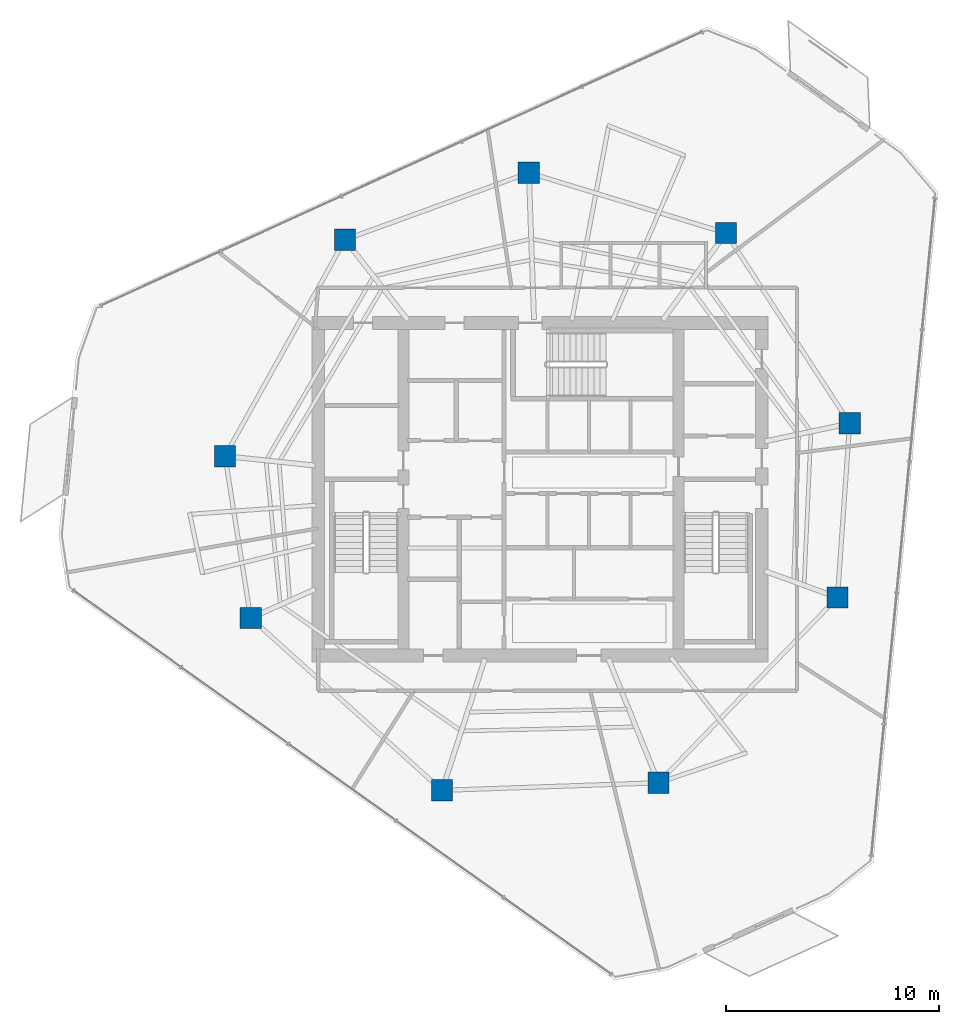
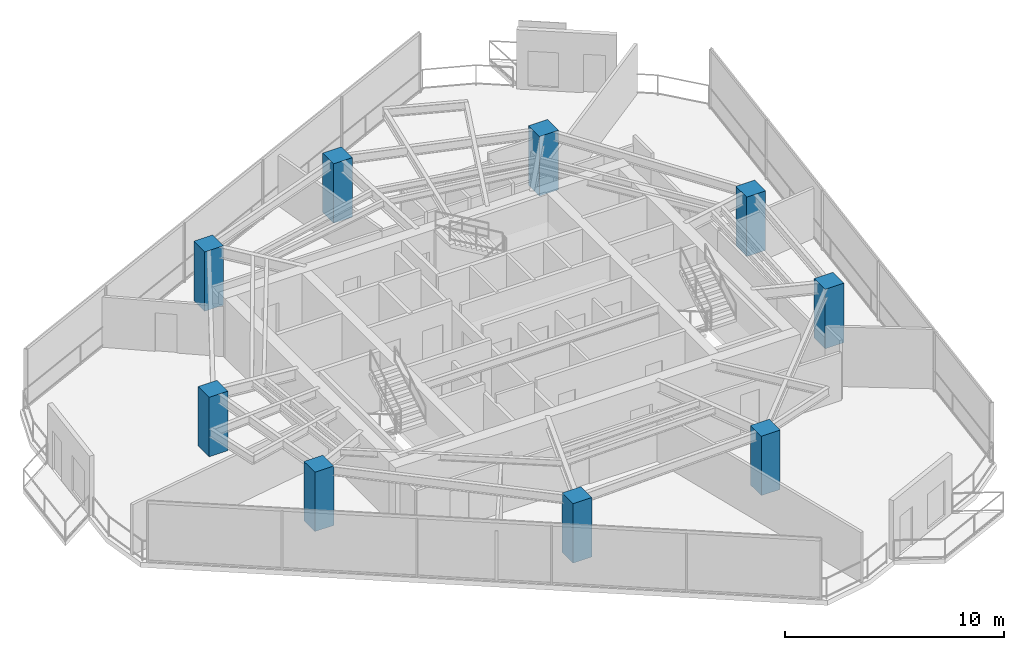
# One storey, part 1 of 21: 9 columns.
"""IFC4 building model written with IfcOpenShell, lengths in metres."""

from ifc_helpers import new_model, si_unit, direction, frame, origin, origin_2d, place, context, subcontext, project, spatial, rectangle, extrude, material, material_profile, profile_set, type_object, element, save


model = new_model("IFC4")

# Units and contexts
model_context = context("Model", 3, precision=1e-05, world=origin(), true_north=direction((0.0, 1.0)))
body_context = subcontext(model_context, "Body", "Model", "MODEL_VIEW")
ifc_project = project(units=[si_unit("LENGTHUNIT", "METRE"), si_unit("AREAUNIT", "SQUARE_METRE"), si_unit("VOLUMEUNIT", "CUBIC_METRE"), si_unit("PLANEANGLEUNIT", "RADIAN"), si_unit("MASSUNIT", "GRAM", prefix="KILO")], contexts=[model_context])

# Site, building, storey
site_placement = place(None, origin())
site = spatial("IfcSite", under=ifc_project, at=site_placement, CompositionType="ELEMENT")
building_placement = place(site_placement, origin())
building = spatial("IfcBuilding", under=site, at=building_placement, Name="Qarnah Convention Tower", CompositionType="ELEMENT")
storey_placement = place(building_placement, frame((0.0, 0.0, 158.10009765625)))
storey = spatial("IfcBuildingStorey", under=building, at=storey_placement, Name="L42", CompositionType="ELEMENT", Elevation=158.10009765625)

# Columns
ifc_material = material(Name="Concrete C60/75", Category="concrete")
ifc_material_profile = material_profile(ifc_material, rectangle(XDim=1.0, YDim=1.0, at=origin_2d()), Name="RC-COL-1000X1000")
ifc_profile_set = profile_set([ifc_material_profile], Name="Concrete C60/75")
column_type = type_object("IfcColumnType", Name="COL-Z3-1000", PredefinedType="COLUMN", material=ifc_profile_set)
for number, where, z_axis, x_axis, name in (
    (1, (51.72509765625, 29.487060546875, 0.0), (0.0, 0.0, 1.0), (1.0, 0.0, 0.0), "L42 plumb column PC-Z3-01"),
    (2, (45.928955078125, 38.4140625, 0.0), (0.0, 0.0, 1.0), (1.0, 0.0, 0.0), "L42 plumb column PC-Z3-02"),
    (3, (36.681884765625, 41.240966796875, 0.0), (0.0, 0.0, 1.0), (1.0, 0.0, 0.0), "L42 plumb column PC-Z3-03"),
    (4, (28.056884765625, 38.10205078125, 0.0), (0.0, 0.0, 1.0), (1.0, 0.0, 0.0), "L42 plumb column PC-Z3-04"),
    (5, (22.430908203125, 27.951904296875, 0.0), (0.0, 0.0, 1.0), (1.0, 0.0, 0.0), "L42 plumb column PC-Z3-05"),
    (6, (23.634033203125, 20.360107421875, 0.0), (0.0, 0.0, 1.0), (1.0, 0.0, 0.0), "L42 plumb column PC-Z3-06"),
    (7, (32.611083984375, 12.277099609375, 0.0), (0.0, 0.0, 1.0), (1.0, 0.0, 0.0), "L42 plumb column PC-Z3-07"),
    (8, (42.762939453125, 12.631103515625, 0.0), (0.0, 0.0, 1.0), (1.0, 0.0, 0.0), "L42 plumb column PC-Z3-08"),
    (9, (51.154052734375, 21.321044921875, 0.0), (0.0, 0.0, 1.0), (1.0, 0.0, 0.0), "L42 plumb column PC-Z3-09"),
):
    element("IfcColumn", number, at=place(storey_placement, frame(where, z_axis=z_axis, x_axis=x_axis)), inside=storey, type_object=column_type, Name=name, PredefinedType="COLUMN", context=body_context, shape_type="SweptSolid", body=[
        extrude(rectangle(XDim=1.0, YDim=1.0, at=origin_2d()), origin(), (0.0, 0.0, 1.0), 3.31982421875),
    ])

save(model, "model.ifc")
